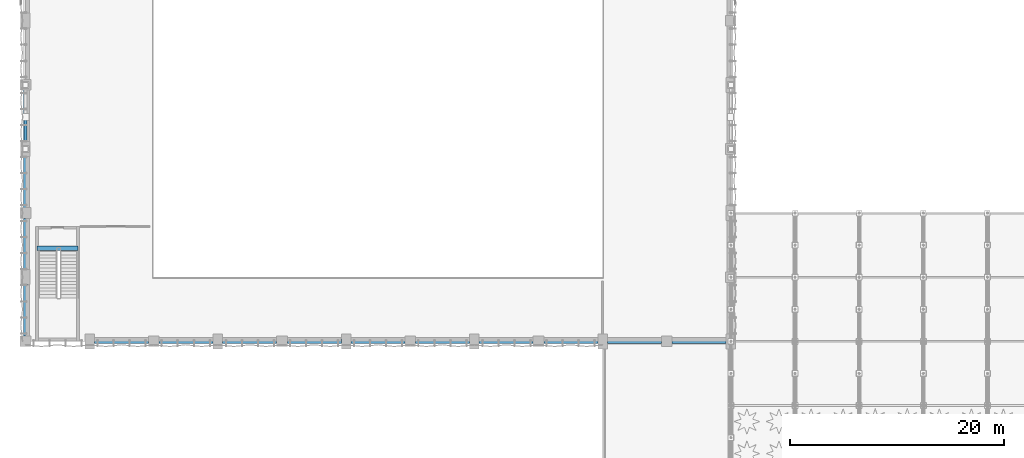
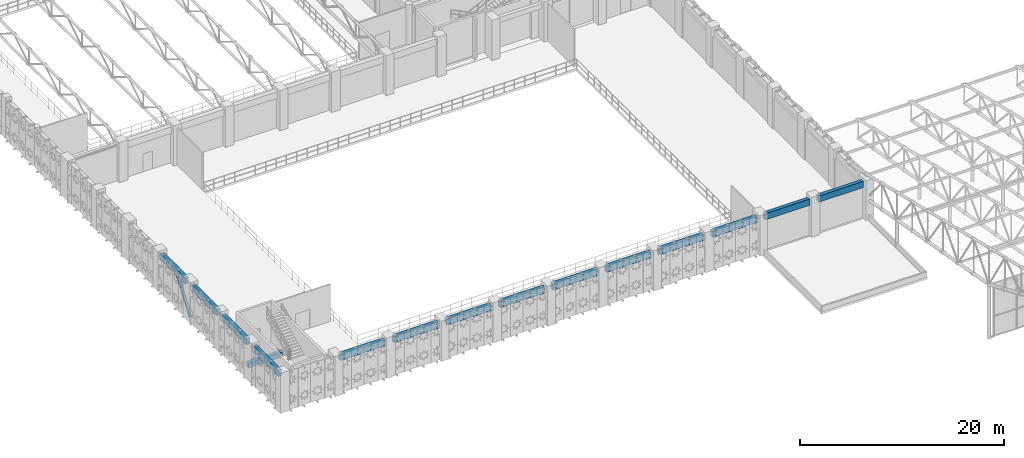
# One storey, part 15 of 123: 15 beams, 1 member.
"""IFC4 building model written with IfcOpenShell, lengths in metres."""

from ifc_helpers import new_model, si_unit, direction, frame, origin, origin_2d, place, context, subcontext, project, spatial, rectangle, hollow_rectangle, extrude, material, material_profile, profile_set, type_object, element, save


model = new_model("IFC4")

# Units and contexts
model_context = context("Model", 3, precision=1e-05, world=origin(), true_north=direction((0.0, 1.0)))
body_context = subcontext(model_context, "Body", "Model", "MODEL_VIEW")
ifc_project = project(units=[si_unit("LENGTHUNIT", "METRE"), si_unit("AREAUNIT", "SQUARE_METRE"), si_unit("VOLUMEUNIT", "CUBIC_METRE"), si_unit("PLANEANGLEUNIT", "RADIAN"), si_unit("MASSUNIT", "GRAM", prefix="KILO"), si_unit("THERMODYNAMICTEMPERATUREUNIT", "KELVIN"), si_unit("POWERUNIT", "WATT")], contexts=[model_context])

# Site, building, storey
site_placement = place(None, origin())
site = spatial("IfcSite", under=ifc_project, at=site_placement, CompositionType="ELEMENT")
building_placement = place(site_placement, origin())
building = spatial("IfcBuilding", under=site, at=building_placement, Name="Phaisarnlok Congress Hotel", CompositionType="ELEMENT")
storey_placement = place(building_placement, frame((0.0, 0.0, 15.0)))
storey = spatial("IfcBuildingStorey", under=building, at=storey_placement, Name="L03", CompositionType="ELEMENT", Elevation=15.0)

# Beam
ifc_material_1 = material(Name="Concrete C40/50", Category="concrete")
ifc_material_profile_1 = material_profile(ifc_material_1, rectangle(XDim=0.39990234375, YDim=0.60009765625, at=origin_2d()), Name="RC 400x600")
ifc_profile_set_1 = profile_set([ifc_material_profile_1], Name="Concrete C40/50")
beam_type_1 = type_object("IfcBeamType", Name="BM-RC-400x600", PredefinedType="BEAM", material=ifc_profile_set_1)
beam_placement = place(storey_placement, frame((1.080078125, 50.719970703125, -0.300048828125), z_axis=(1.0, 0.0, 0.0), x_axis=(0.0, 1.0, 0.0)))
element("IfcBeam", 1, at=beam_placement, inside=storey, type_object=beam_type_1, Name="Stair landing header beam B-02 (STAIR-W L03)", PredefinedType="BEAM", context=body_context, shape_type="SweptSolid", body=[
    extrude(rectangle(XDim=0.39990234375, YDim=0.60009765625, at=origin_2d()), origin(), (0.0, 0.0, 1.0), 3.83984375),
])

# Member
ifc_material_2 = material(Name="Steel S355", Category="steel")
ifc_material_profile_2 = material_profile(ifc_material_2, hollow_rectangle(XDim=0.260009765625, YDim=0.260009765625, WallThickness=0.01611328125, at=origin_2d()), Name="SHS 260x260x16")
ifc_profile_set_2 = profile_set([ifc_material_profile_2], Name="Steel S355")
member_type = type_object("IfcMemberType", Name="MEM-BRC-SHS260-EXT", PredefinedType="BRACE", material=ifc_profile_set_2)
member_placement = place(storey_placement, frame((0.0, 60.0, 0.14990234375), z_axis=(0.0, 0.583059052244, 0.812429776409), x_axis=(-1.0, 0.0, 0.0)))
element("IfcMember", 2, at=member_placement, inside=storey, type_object=member_type, Name="Lateral braced frame diagonal", PredefinedType="BRACE", context=body_context, shape_type="SweptSolid", body=[
    extrude(hollow_rectangle(XDim=0.260009765625, YDim=0.260009765625, WallThickness=0.01611328125, at=origin_2d()), origin(), (0.0, 0.0, 1.0), 5.145263671875),
])

# Beams
ifc_material_profile_3 = material_profile(ifc_material_1, rectangle(XDim=0.39990234375, YDim=0.75, at=origin_2d()), Name="RC 400x750")
ifc_profile_set_3 = profile_set([ifc_material_profile_3], Name="Concrete C40/50")
beam_type_2 = type_object("IfcBeamType", Name="SP-RC-400x750", PredefinedType="SPANDREL", material=ifc_profile_set_3)
for number, where, z_axis, x_axis, name in (
    (3, (0.0, 42.4951171875, 4.074951171875), (0.0, 1.0, 0.0), (-1.0, 0.0, 0.0), "Beam SP-02"),
    (4, (0.0, 48.695068359375, 4.074951171875), (0.0, 1.0, 0.0), (-1.0, 0.0, 0.0), "Beam SP-02"),
    (5, (0.0, 54.4951171875, 4.074951171875), (0.0, 1.0, 0.0), (-1.0, 0.0, 0.0), "Beam SP-02"),
    (6, (0.0, 60.695068359375, 4.074951171875), (0.0, 1.0, 0.0), (-1.0, 0.0, 0.0), "Beam SP-02"),
):
    element("IfcBeam", number, at=place(storey_placement, frame(where, z_axis=z_axis, x_axis=x_axis)), inside=storey, type_object=beam_type_2, Name=name, PredefinedType="SPANDREL", context=body_context, shape_type="SweptSolid", body=[
        extrude(rectangle(XDim=0.39990234375, YDim=0.75, at=origin_2d()), origin(), (0.0, 0.0, 1.0), 4.809814453125),
    ])
for number, where, z_axis, x_axis, name in (
    (7, (6.445068359375, 42.0, 4.074951171875), (1.0, 0.0, 0.0), (0.0, 1.0, 0.0), "Beam SP-02"),
    (8, (12.4951171875, 42.0, 4.074951171875), (1.0, 0.0, 0.0), (0.0, 1.0, 0.0), "Beam SP-02"),
    (9, (18.445068359375, 42.0, 4.074951171875), (1.0, 0.0, 0.0), (0.0, 1.0, 0.0), "Beam SP-02"),
    (10, (24.4951171875, 42.0, 4.074951171875), (1.0, 0.0, 0.0), (0.0, 1.0, 0.0), "Beam SP-02"),
    (11, (30.445068359375, 42.0, 4.074951171875), (1.0, 0.0, 0.0), (0.0, 1.0, 0.0), "Beam SP-02"),
    (12, (36.4951171875, 42.0, 4.074951171875), (1.0, 0.0, 0.0), (0.0, 1.0, 0.0), "Beam SP-02"),
    (13, (42.445068359375, 42.0, 4.074951171875), (1.0, 0.0, 0.0), (0.0, 1.0, 0.0), "Beam SP-02"),
    (14, (48.4951171875, 42.0, 4.074951171875), (1.0, 0.0, 0.0), (0.0, 1.0, 0.0), "Beam SP-02"),
    (15, (54.445068359375, 42.0, 4.074951171875), (1.0, 0.0, 0.0), (0.0, 1.0, 0.0), "Beam SP-02"),
    (16, (60.4951171875, 42.0, 4.074951171875), (1.0, 0.0, 0.0), (0.0, 1.0, 0.0), "Beam SP-02"),
):
    element("IfcBeam", number, at=place(storey_placement, frame(where, z_axis=z_axis, x_axis=x_axis)), inside=storey, type_object=beam_type_2, Name=name, PredefinedType="SPANDREL", context=body_context, shape_type="SweptSolid", body=[
        extrude(rectangle(XDim=0.39990234375, YDim=0.75, at=origin_2d()), origin(), (0.0, 0.0, 1.0), 5.059814453125),
    ])

save(model, "model.ifc")
